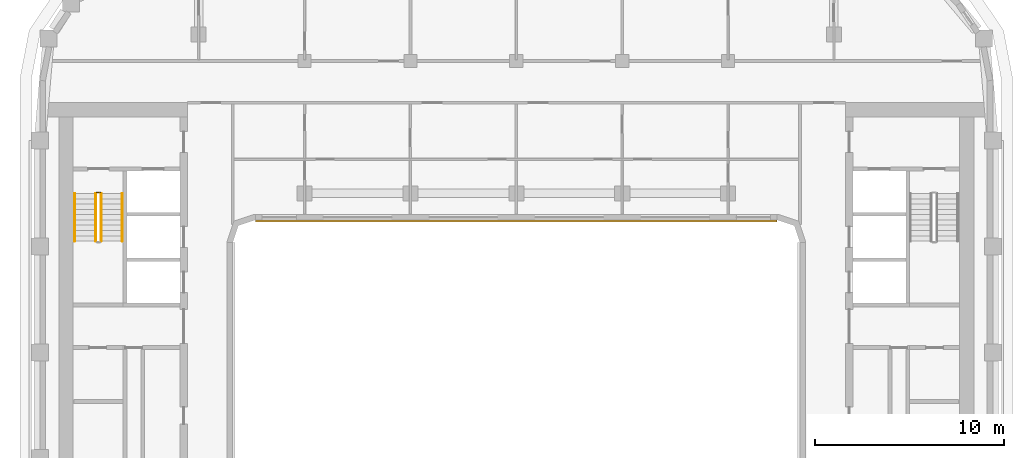
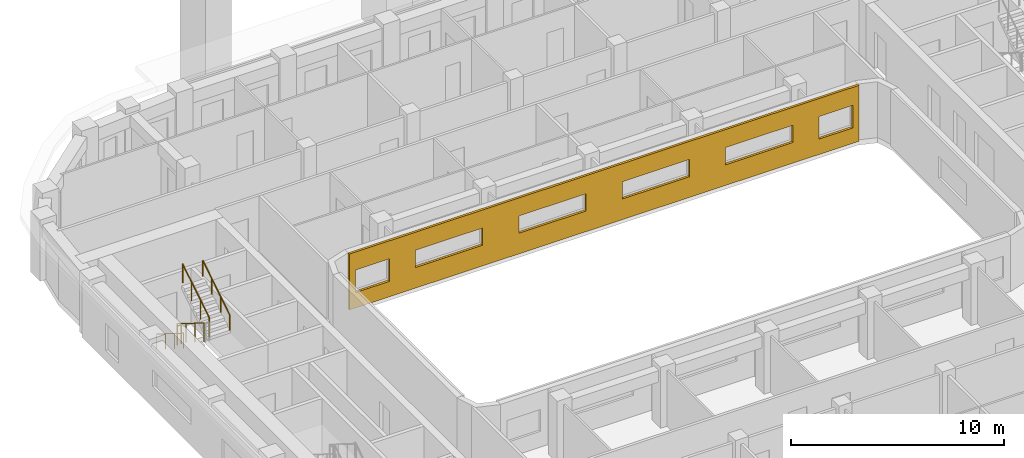
# One storey, part 16 of 18: 5 railings, 1 covering.
"""IFC4 building model written with IfcOpenShell, lengths in metres."""

from ifc_helpers import new_model, si_unit, direction, frame, origin, origin_2d, place, context, subcontext, project, spatial, polyline, circle, outline, extrude, material, layer, layer_set, type_object, element, save


model = new_model("IFC4")

# Units and contexts
model_context = context("Model", 3, precision=1e-05, world=origin(), true_north=direction((0.0, 1.0)))
body_context = subcontext(model_context, "Body", "Model", "MODEL_VIEW")
ifc_project = project(units=[si_unit("LENGTHUNIT", "METRE"), si_unit("AREAUNIT", "SQUARE_METRE"), si_unit("VOLUMEUNIT", "CUBIC_METRE"), si_unit("PLANEANGLEUNIT", "RADIAN"), si_unit("MASSUNIT", "GRAM", prefix="KILO")], contexts=[model_context])

# Site, building, storey
site_placement = place(None, origin())
site = spatial("IfcSite", under=ifc_project, at=site_placement, CompositionType="ELEMENT")
building_placement = place(site_placement, origin())
building = spatial("IfcBuilding", under=site, at=building_placement, Name="Kiln Ring Residences", CompositionType="ELEMENT")
storey_placement = place(building_placement, frame((0.0, 0.0, 209.89990234375)))
storey = spatial("IfcBuildingStorey", under=building, at=storey_placement, Name="L54", CompositionType="ELEMENT", Elevation=209.89990234375)

# Railings
ifc_material_1 = material(Name="Stainless steel", Category="steel")
railing_type_1 = type_object("IfcRailingType", Name="CORE-STAIR-GUARD", PredefinedType="GUARDRAIL", material=ifc_material_1)
railing_1_placement = place(storey_placement, frame((-22.25, 8.39990234375, 0.175048828125)))
element("IfcRailing", 1, at=railing_1_placement, inside=storey, type_object=railing_type_1, Name="L54 W-STN stair guard 1", PredefinedType="GUARDRAIL", context=body_context, shape_type="SweptSolid", body=[
    extrude(circle(Radius=0.02392578125, at=origin_2d()), frame((0.0, 0.0, 1.076171875), z_axis=(0.0, -0.848007534815, 0.529984170421), x_axis=(1.0, 0.0, 0.0)), (0.0, 0.0, 1.0), 2.9716796875),
    extrude(circle(Radius=0.02099609375, at=origin_2d()), origin(), (0.0, 0.0, 1.0), 1.052001953125),
    extrude(circle(Radius=0.02099609375, at=origin_2d()), frame((0.0, -0.840087890625, 0.52490234375)), (0.0, 0.0, 1.0), 1.052001953125),
    extrude(circle(Radius=0.02099609375, at=origin_2d()), frame((0.0, -1.679931640625, 1.050048828125)), (0.0, 0.0, 1.0), 1.052001953125),
    extrude(circle(Radius=0.02099609375, at=origin_2d()), frame((0.0, -2.52001953125, 1.574951171875)), (0.0, 0.0, 1.0), 1.052001953125),
])
railing_2_placement = place(storey_placement, frame((-21.949951171875, 5.8798828125, 1.925048828125)))
element("IfcRailing", 2, at=railing_2_placement, inside=storey, type_object=railing_type_1, Name="L54 W-STN stair guard 3", PredefinedType="GUARDRAIL", context=body_context, shape_type="SweptSolid", body=[
    extrude(circle(Radius=0.02392578125, at=origin_2d()), frame((0.0, 0.0, 1.076171875), z_axis=(0.0, 0.848007534815, 0.529984170421), x_axis=(-1.0, 0.0, 0.0)), (0.0, 0.0, 1.0), 2.9716796875),
    extrude(circle(Radius=0.02099609375, at=origin_2d()), origin(), (0.0, 0.0, 1.0), 1.052001953125),
    extrude(circle(Radius=0.02099609375, at=origin_2d()), frame((0.0, 0.840087890625, 0.52490234375)), (0.0, 0.0, 1.0), 1.052001953125),
    extrude(circle(Radius=0.02099609375, at=origin_2d()), frame((0.0, 1.679931640625, 1.050048828125)), (0.0, 0.0, 1.0), 1.052001953125),
    extrude(circle(Radius=0.02099609375, at=origin_2d()), frame((0.0, 2.52001953125, 1.574951171875)), (0.0, 0.0, 1.0), 1.052001953125),
])
railing_3_placement = place(storey_placement, frame((-22.199951171875, 8.449951171875, 0.0)))
element("IfcRailing", 3, at=railing_3_placement, inside=storey, type_object=railing_type_1, Name="L54 W-STN stair guard 4", PredefinedType="GUARDRAIL", context=body_context, shape_type="SweptSolid", body=[
    extrude(circle(Radius=0.02392578125, at=origin_2d()), frame((0.0, 0.0, 1.076171875), z_axis=(1.0, 0.0, 0.0), x_axis=(0.0, 1.0, 0.0)), (0.0, 0.0, 1.0), 0.199951171875),
    extrude(circle(Radius=0.02099609375, at=origin_2d()), origin(), (0.0, 0.0, 1.0), 1.052001953125),
    extrude(circle(Radius=0.02099609375, at=origin_2d()), frame((0.199951171875, 0.0, 0.0)), (0.0, 0.0, 1.0), 1.052001953125),
])
ifc_material_2 = material(Name="Stainless steel", Category="steel")
railing_type_2 = type_object("IfcRailingType", Name="CORE-STAIR-HANDRAIL", PredefinedType="HANDRAIL", material=ifc_material_2)
railing_4_placement = place(storey_placement, frame((-23.35009765625, 8.39990234375, 0.175048828125)))
element("IfcRailing", 4, at=railing_4_placement, inside=storey, type_object=railing_type_2, Name="L54 W-STN stair handrail 1", PredefinedType="HANDRAIL", context=body_context, shape_type="SweptSolid", body=[
    extrude(circle(Radius=0.02392578125, at=origin_2d()), frame((0.0, 0.0, 0.8759765625), z_axis=(0.0, -0.848007534815, 0.529984170421), x_axis=(1.0, 0.0, 0.0)), (0.0, 0.0, 1.0), 2.9716796875),
    extrude(circle(Radius=0.02099609375, at=origin_2d()), origin(), (0.0, 0.0, 1.0), 0.851806640625),
    extrude(circle(Radius=0.02099609375, at=origin_2d()), frame((0.0, -0.840087890625, 0.52490234375)), (0.0, 0.0, 1.0), 0.851806640625),
    extrude(circle(Radius=0.02099609375, at=origin_2d()), frame((0.0, -1.679931640625, 1.050048828125)), (0.0, 0.0, 1.0), 0.851806640625),
    extrude(circle(Radius=0.02099609375, at=origin_2d()), frame((0.0, -2.52001953125, 1.574951171875)), (0.0, 0.0, 1.0), 0.851806640625),
])
railing_5_placement = place(storey_placement, frame((-20.85009765625, 5.8798828125, 1.925048828125)))
element("IfcRailing", 5, at=railing_5_placement, inside=storey, type_object=railing_type_2, Name="L54 W-STN stair handrail 2", PredefinedType="HANDRAIL", context=body_context, shape_type="SweptSolid", body=[
    extrude(circle(Radius=0.02392578125, at=origin_2d()), frame((0.0, 0.0, 0.8759765625), z_axis=(0.0, 0.848007534815, 0.529984170421), x_axis=(-1.0, 0.0, 0.0)), (0.0, 0.0, 1.0), 2.9716796875),
    extrude(circle(Radius=0.02099609375, at=origin_2d()), origin(), (0.0, 0.0, 1.0), 0.851806640625),
    extrude(circle(Radius=0.02099609375, at=origin_2d()), frame((0.0, 0.840087890625, 0.52490234375)), (0.0, 0.0, 1.0), 0.851806640625),
    extrude(circle(Radius=0.02099609375, at=origin_2d()), frame((0.0, 1.679931640625, 1.050048828125)), (0.0, 0.0, 1.0), 0.851806640625),
    extrude(circle(Radius=0.02099609375, at=origin_2d()), frame((0.0, 2.52001953125, 1.574951171875)), (0.0, 0.0, 1.0), 0.851806640625),
])

# Covering
ifc_material_3 = material(Name="Brick masonry, dark clay brick", Category="masonry")
ifc_layer = layer(ifc_material_3, 0.1201171875)
ifc_layer_set = layer_set([ifc_layer], Name="RAINSCREEN PANEL 120")
covering_type = type_object("IfcCoveringType", Name="RAINSCREEN PANEL 120", PredefinedType="CLADDING", material=ifc_layer_set)
covering_placement = place(storey_placement, frame((-13.800048828125, 6.93994140625, 0.0), z_axis=(0.0, 0.0, 1.0), x_axis=(1.0, 0.0, 0.0)))
element("IfcCovering", 6, at=covering_placement, inside=storey, type_object=covering_type, Name="RAINSCREEN L54", PredefinedType="CLADDING", context=body_context, shape_type="SweptSolid", body=[
    extrude(outline(polyline([(0.0, 0.0), (27.60009765625, 0.0), (27.60009765625, 3.2001953125), (0.0, 3.2001953125), (0.0, 0.0)]), holes=[polyline([(2.1826171875, 0.880126953125), (2.1826171875, 2.170166015625), (0.342529296875, 2.170166015625), (0.342529296875, 0.880126953125), (2.1826171875, 0.880126953125)]), polyline([(25.41748046875, 0.880126953125), (27.257568359375, 0.880126953125), (27.257568359375, 2.170166015625), (25.41748046875, 2.170166015625), (25.41748046875, 0.880126953125)]), polyline([(3.580078125, 1.18017578125), (7.219970703125, 1.18017578125), (7.219970703125, 2.170166015625), (3.580078125, 2.170166015625), (3.580078125, 1.18017578125)]), polyline([(12.820068359375, 1.18017578125), (12.820068359375, 2.170166015625), (9.179931640625, 2.170166015625), (9.179931640625, 1.18017578125), (12.820068359375, 1.18017578125)]), polyline([(14.780029296875, 1.18017578125), (18.419921875, 1.18017578125), (18.419921875, 2.170166015625), (14.780029296875, 2.170166015625), (14.780029296875, 1.18017578125)]), polyline([(20.3798828125, 1.18017578125), (24.02001953125, 1.18017578125), (24.02001953125, 2.170166015625), (20.3798828125, 2.170166015625), (20.3798828125, 1.18017578125)])]), frame((0.0, 0.06005859375, 0.0), z_axis=(0.0, -1.0, 0.0), x_axis=(1.0, 0.0, 0.0)), (0.0, 0.0, 1.0), 0.1201171875),
])

save(model, "model.ifc")
